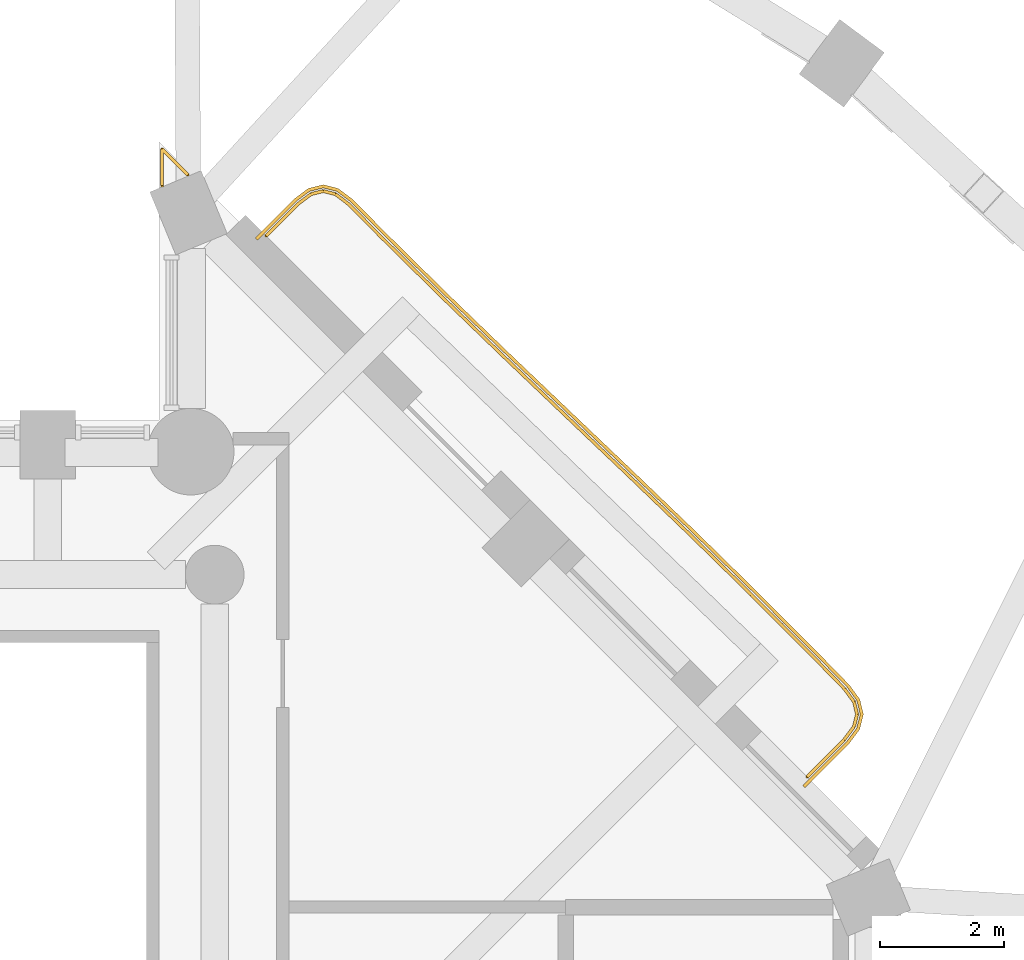
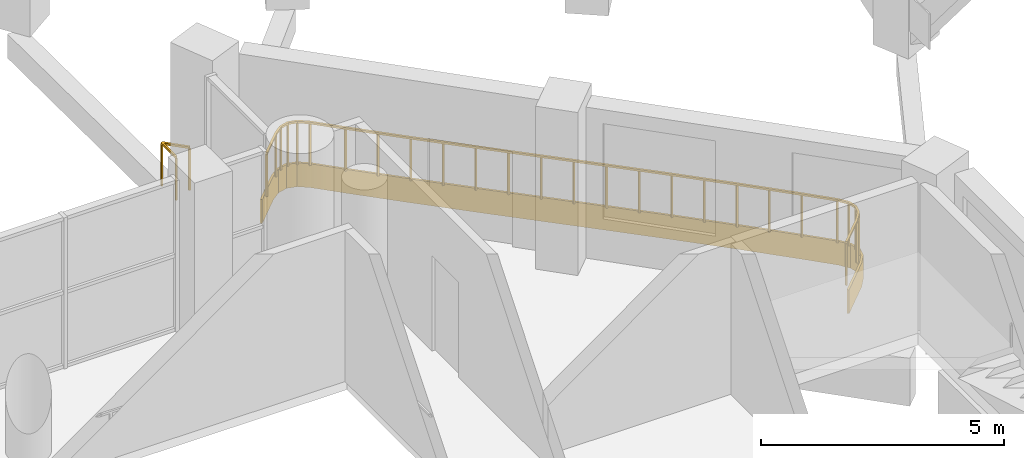
# One storey, part 15 of 15: 2 railings, 1 covering.
"""IFC4 building model written with IfcOpenShell, lengths in metres."""

from ifc_helpers import new_model, si_unit, direction, frame, origin, origin_2d, place, context, subcontext, project, spatial, polyline, rectangle, outline, extrude, material, layer, layer_set, type_object, element, save


model = new_model("IFC4")

# Units and contexts
model_context = context("Model", 3, precision=1e-05, world=origin(), true_north=direction((0.0, 1.0)))
body_context = subcontext(model_context, "Body", "Model", "MODEL_VIEW")
ifc_project = project(units=[si_unit("LENGTHUNIT", "METRE"), si_unit("AREAUNIT", "SQUARE_METRE"), si_unit("VOLUMEUNIT", "CUBIC_METRE"), si_unit("PLANEANGLEUNIT", "RADIAN"), si_unit("MASSUNIT", "GRAM", prefix="KILO")], contexts=[model_context])

# Site, building, storey
site_placement = place(None, origin())
site = spatial("IfcSite", under=ifc_project, at=site_placement, CompositionType="ELEMENT")
building_placement = place(site_placement, origin())
building = spatial("IfcBuilding", under=site, at=building_placement, Name="Cypress Arch Tower", CompositionType="ELEMENT")
storey_placement = place(building_placement, frame((0.0, 0.0, 193.300048828125)))
storey = spatial("IfcBuildingStorey", under=building, at=storey_placement, Name="L42", CompositionType="ELEMENT", Elevation=193.300048828125)

# Covering
ifc_material_1 = material(Name="White powder-coated aluminium fascia", Category="aluminium")
ifc_layer = layer(ifc_material_1, 0.050048828125)
ifc_layer_set = layer_set([ifc_layer], Name="Balcony fascia BF50")
covering_type = type_object("IfcCoveringType", Name="Balcony fascia BF50", PredefinedType="CLADDING", material=ifc_layer_set)
covering_placement = place(storey_placement, frame((0.0, 0.0, -0.60009765625)))
element("IfcCovering", 1, at=covering_placement, inside=storey, type_object=covering_type, Name="Balcony fascia L42-B05", PredefinedType="CLADDING", context=body_context, shape_type="SweptSolid", body=[
    extrude(outline(polyline([(10.282470703125, 16.0712890625), (10.513671875, 16.24462890625), (10.755859375, 16.304931640625), (10.99755859375, 16.243408203125), (11.22802734375, 16.069091796875), (11.766845703125, 15.525390625), (12.75341796875, 14.55322265625), (13.750244140625, 13.591064453125), (14.753173828125, 12.634765625), (15.757080078125, 11.678955078125), (16.756591796875, 10.71826171875), (17.746826171875, 9.748046875), (18.725341796875, 8.7666015625), (19.260009765625, 8.218017578125), (19.430908203125, 7.98388671875), (19.489501953125, 7.739990234375), (19.427734375, 7.496826171875), (19.25390625, 7.26513671875), (18.545166015625, 6.556396484375), (18.509765625, 6.591796875), (19.216064453125, 7.298095703125), (19.3818359375, 7.518798828125), (19.43798828125, 7.740478515625), (19.384521484375, 7.962646484375), (19.2216796875, 8.185546875), (18.68994140625, 8.7314453125), (17.71142578125, 9.712646484375), (16.7216796875, 10.682373046875), (15.72265625, 11.642822265625), (14.71875, 12.5986328125), (13.715576171875, 13.554931640625), (12.718505859375, 14.517333984375), (11.7314453125, 15.489990234375), (11.195068359375, 16.03125), (10.9755859375, 16.197509765625), (10.755615234375, 16.253173828125), (10.53564453125, 16.198486328125), (10.3154296875, 16.033447265625), (9.691650390625, 15.40966796875), (9.65625, 15.445068359375), (10.282470703125, 16.0712890625)])), origin(), (0.0, 0.0, 1.0), 0.60009765625),
])

# Railings
ifc_material_2 = material(Name="Powder-coated steel posts and rods, 100 mm clear between rods", Category="steel")
railing_type_1 = type_object("IfcRailingType", Name="Balcony guard GR1100", PredefinedType="GUARDRAIL", material=ifc_material_2)
railing_1_placement = place(storey_placement, frame((9.83251953125, 15.479736328125, 0.0)))
element("IfcRailing", 2, at=railing_1_placement, inside=storey, type_object=railing_type_1, Name="Balcony guard L42-B05", PredefinedType="GUARDRAIL", context=body_context, shape_type="SweptSolid", body=[
    extrude(rectangle(XDim=0.050048828125, YDim=0.050048828125, at=origin_2d()), frame((0.0, 0.0, 1.0751953125), z_axis=(0.707106781187, 0.707106781187, 0.0), x_axis=(-0.707106781187, 0.707106781187, 0.0)), (0.0, 0.0, 1.0), 0.729248046875),
    extrude(rectangle(XDim=0.050048828125, YDim=0.050048828125, at=origin_2d()), frame((0.515625, 0.515625, 1.0751953125), z_axis=(0.79977623076, 0.600298243135, 0.0), x_axis=(-0.600298243135, 0.79977623076, 0.0)), (0.0, 0.0, 1.0), 0.261962890625),
    extrude(rectangle(XDim=0.050048828125, YDim=0.050048828125, at=origin_2d()), frame((0.72509765625, 0.6728515625, 1.0751953125), z_axis=(0.970633311894, 0.24056386645, 0.0), x_axis=(-0.24056386645, 0.970633311894, 0.0)), (0.0, 0.0, 1.0), 0.2041015625),
    extrude(rectangle(XDim=0.050048828125, YDim=0.050048828125, at=origin_2d()), frame((0.923095703125, 0.721923828125, 1.0751953125), z_axis=(0.969434393792, -0.24535067991, 0.0), x_axis=(0.24535067991, 0.969434393792, 0.0)), (0.0, 0.0, 1.0), 0.2041015625),
    extrude(rectangle(XDim=0.050048828125, YDim=0.050048828125, at=origin_2d()), frame((1.120849609375, 0.671875, 1.0751953125), z_axis=(0.797418514698, -0.603426642117, 0.0), x_axis=(0.603426642117, 0.797418514698, 0.0)), (0.0, 0.0, 1.0), 0.26171875),
    extrude(rectangle(XDim=0.050048828125, YDim=0.050048828125, at=origin_2d()), frame((1.32958984375, 0.513916015625, 1.0751953125), z_axis=(0.703882450152, -0.710316476205, 0.0), x_axis=(0.710316476205, 0.703882450152, 0.0)), (0.0, 0.0, 1.0), 0.7587890625),
    extrude(rectangle(XDim=0.050048828125, YDim=0.050048828125, at=origin_2d()), frame((1.86376953125, -0.025146484375, 1.0751953125), z_axis=(0.712283627082, -0.701891754184, 0.0), x_axis=(0.701891754184, 0.712283627082, 0.0)), (0.0, 0.0, 1.0), 1.38623046875),
    extrude(rectangle(XDim=0.050048828125, YDim=0.050048828125, at=origin_2d()), frame((2.85107421875, -0.998046875, 1.0751953125), z_axis=(0.719413598622, -0.694581941975, 0.0), x_axis=(0.694581941975, 0.719413598622, 0.0)), (0.0, 0.0, 1.0), 1.38623046875),
    extrude(rectangle(XDim=0.050048828125, YDim=0.050048828125, at=origin_2d()), frame((3.848388671875, -1.9609375, 1.0751953125), z_axis=(0.723811177681, -0.689998100768, 0.0), x_axis=(0.689998100768, 0.723811177681, 0.0)), (0.0, 0.0, 1.0), 1.38623046875),
    extrude(rectangle(XDim=0.050048828125, YDim=0.050048828125, at=origin_2d()), frame((4.851806640625, -2.91748046875, 1.0751953125), z_axis=(0.724246851747, -0.689540787579, 0.0), x_axis=(0.689540787579, 0.724246851747, 0.0)), (0.0, 0.0, 1.0), 1.3857421875),
    extrude(rectangle(XDim=0.050048828125, YDim=0.050048828125, at=origin_2d()), frame((5.85546875, -3.873046875, 1.0751953125), z_axis=(0.720890626491, -0.693048847223, 0.0), x_axis=(0.693048847223, 0.720890626491, 0.0)), (0.0, 0.0, 1.0), 1.385498046875),
    extrude(rectangle(XDim=0.050048828125, YDim=0.050048828125, at=origin_2d()), frame((6.854248046875, -4.833251953125, 1.0751953125), z_axis=(0.714383755631, -0.699754135172, 0.0), x_axis=(0.699754135172, 0.714383755631, 0.0)), (0.0, 0.0, 1.0), 1.385009765625),
    extrude(rectangle(XDim=0.050048828125, YDim=0.050048828125, at=origin_2d()), frame((7.84375, -5.802490234375, 1.0751953125), z_axis=(0.706048503918, -0.70816347697, 0.0), x_axis=(0.70816347697, 0.706048503918, 0.0)), (0.0, 0.0, 1.0), 1.38525390625),
    extrude(rectangle(XDim=0.050048828125, YDim=0.050048828125, at=origin_2d()), frame((8.82177734375, -6.783447265625, 1.0751953125), z_axis=(0.697873194984, -0.716221337103, 0.0), x_axis=(0.716221337103, 0.697873194984, 0.0)), (0.0, 0.0, 1.0), 0.758544921875),
    extrude(rectangle(XDim=0.050048828125, YDim=0.050048828125, at=origin_2d()), frame((9.35107421875, -7.32666015625, 1.0751953125), z_axis=(0.589829969065, -0.807527465534, 0.0), x_axis=(0.807527465534, 0.589829969065, 0.0)), (0.0, 0.0, 1.0), 0.262451171875),
    extrude(rectangle(XDim=0.050048828125, YDim=0.050048828125, at=origin_2d()), frame((9.505859375, -7.53857421875, 1.0751953125), z_axis=(0.233328156203, -0.972398051995, 0.0), x_axis=(0.972398051995, 0.233328156203, 0.0)), (0.0, 0.0, 1.0), 0.2060546875),
    extrude(rectangle(XDim=0.050048828125, YDim=0.050048828125, at=origin_2d()), frame((9.553955078125, -7.739013671875, 1.0751953125), z_axis=(-0.246153846154, -0.969230769231, 0.0), x_axis=(0.969230769231, -0.246153846154, 0.0)), (0.0, 0.0, 1.0), 0.206298828125),
    extrude(rectangle(XDim=0.050048828125, YDim=0.050048828125, at=origin_2d()), frame((9.503173828125, -7.93896484375, 1.0751953125), z_axis=(-0.6, -0.8, 0.0), x_axis=(0.8, -0.6, 0.0)), (0.0, 0.0, 1.0), 0.262451171875),
    extrude(rectangle(XDim=0.050048828125, YDim=0.050048828125, at=origin_2d()), frame((9.345703125, -8.14892578125, 1.0751953125), z_axis=(-0.707106781187, -0.707106781187, 0.0), x_axis=(0.707106781187, -0.707106781187, 0.0)), (0.0, 0.0, 1.0), 0.84619140625),
    extrude(rectangle(XDim=0.0400390625, YDim=0.0400390625, at=origin_2d()), origin(), (0.0, 0.0, 1.0), 1.050048828125),
    extrude(rectangle(XDim=0.0400390625, YDim=0.0400390625, at=origin_2d()), frame((0.515625, 0.515625, 0.0)), (0.0, 0.0, 1.0), 1.050048828125),
    extrude(rectangle(XDim=0.0400390625, YDim=0.0400390625, at=origin_2d()), frame((0.72509765625, 0.6728515625, 0.0)), (0.0, 0.0, 1.0), 1.050048828125),
    extrude(rectangle(XDim=0.0400390625, YDim=0.0400390625, at=origin_2d()), frame((0.923095703125, 0.721923828125, 0.0)), (0.0, 0.0, 1.0), 1.050048828125),
    extrude(rectangle(XDim=0.0400390625, YDim=0.0400390625, at=origin_2d()), frame((1.120849609375, 0.671875, 0.0)), (0.0, 0.0, 1.0), 1.050048828125),
    extrude(rectangle(XDim=0.0400390625, YDim=0.0400390625, at=origin_2d()), frame((1.32958984375, 0.513916015625, 0.0)), (0.0, 0.0, 1.0), 1.050048828125),
    extrude(rectangle(XDim=0.0400390625, YDim=0.0400390625, at=origin_2d()), frame((1.86376953125, -0.025146484375, 0.0)), (0.0, 0.0, 1.0), 1.050048828125),
    extrude(rectangle(XDim=0.0400390625, YDim=0.0400390625, at=origin_2d()), frame((2.357421875, -0.51171875, 0.0)), (0.0, 0.0, 1.0), 1.050048828125),
    extrude(rectangle(XDim=0.0400390625, YDim=0.0400390625, at=origin_2d()), frame((2.85107421875, -0.998046875, 0.0)), (0.0, 0.0, 1.0), 1.050048828125),
    extrude(rectangle(XDim=0.0400390625, YDim=0.0400390625, at=origin_2d()), frame((3.349609375, -1.4794921875, 0.0)), (0.0, 0.0, 1.0), 1.050048828125),
    extrude(rectangle(XDim=0.0400390625, YDim=0.0400390625, at=origin_2d()), frame((3.848388671875, -1.9609375, 0.0)), (0.0, 0.0, 1.0), 1.050048828125),
    extrude(rectangle(XDim=0.0400390625, YDim=0.0400390625, at=origin_2d()), frame((4.35009765625, -2.439208984375, 0.0)), (0.0, 0.0, 1.0), 1.050048828125),
    extrude(rectangle(XDim=0.0400390625, YDim=0.0400390625, at=origin_2d()), frame((4.851806640625, -2.91748046875, 0.0)), (0.0, 0.0, 1.0), 1.050048828125),
    extrude(rectangle(XDim=0.0400390625, YDim=0.0400390625, at=origin_2d()), frame((5.353515625, -3.395263671875, 0.0)), (0.0, 0.0, 1.0), 1.050048828125),
    extrude(rectangle(XDim=0.0400390625, YDim=0.0400390625, at=origin_2d()), frame((5.85546875, -3.873046875, 0.0)), (0.0, 0.0, 1.0), 1.050048828125),
    extrude(rectangle(XDim=0.0400390625, YDim=0.0400390625, at=origin_2d()), frame((6.35498046875, -4.35302734375, 0.0)), (0.0, 0.0, 1.0), 1.050048828125),
    extrude(rectangle(XDim=0.0400390625, YDim=0.0400390625, at=origin_2d()), frame((6.854248046875, -4.833251953125, 0.0)), (0.0, 0.0, 1.0), 1.050048828125),
    extrude(rectangle(XDim=0.0400390625, YDim=0.0400390625, at=origin_2d()), frame((7.34912109375, -5.31787109375, 0.0)), (0.0, 0.0, 1.0), 1.050048828125),
    extrude(rectangle(XDim=0.0400390625, YDim=0.0400390625, at=origin_2d()), frame((7.84375, -5.802490234375, 0.0)), (0.0, 0.0, 1.0), 1.050048828125),
    extrude(rectangle(XDim=0.0400390625, YDim=0.0400390625, at=origin_2d()), frame((8.332763671875, -6.29296875, 0.0)), (0.0, 0.0, 1.0), 1.050048828125),
    extrude(rectangle(XDim=0.0400390625, YDim=0.0400390625, at=origin_2d()), frame((8.82177734375, -6.783447265625, 0.0)), (0.0, 0.0, 1.0), 1.050048828125),
    extrude(rectangle(XDim=0.0400390625, YDim=0.0400390625, at=origin_2d()), frame((9.35107421875, -7.32666015625, 0.0)), (0.0, 0.0, 1.0), 1.050048828125),
    extrude(rectangle(XDim=0.0400390625, YDim=0.0400390625, at=origin_2d()), frame((9.505859375, -7.53857421875, 0.0)), (0.0, 0.0, 1.0), 1.050048828125),
    extrude(rectangle(XDim=0.0400390625, YDim=0.0400390625, at=origin_2d()), frame((9.553955078125, -7.739013671875, 0.0)), (0.0, 0.0, 1.0), 1.050048828125),
    extrude(rectangle(XDim=0.0400390625, YDim=0.0400390625, at=origin_2d()), frame((9.503173828125, -7.93896484375, 0.0)), (0.0, 0.0, 1.0), 1.050048828125),
    extrude(rectangle(XDim=0.0400390625, YDim=0.0400390625, at=origin_2d()), frame((9.345703125, -8.14892578125, 0.0)), (0.0, 0.0, 1.0), 1.050048828125),
    extrude(rectangle(XDim=0.0400390625, YDim=0.0400390625, at=origin_2d()), frame((8.747314453125, -8.747314453125, 0.0)), (0.0, 0.0, 1.0), 1.050048828125),
])
ifc_material_3 = material(Name="Powder-coated steel posts and rods, 100 mm clear between rods", Category="steel")
railing_type_2 = type_object("IfcRailingType", Name="Corner guard GR1100C", PredefinedType="GUARDRAIL", material=ifc_material_3)
railing_2_placement = place(storey_placement, frame((8.14990234375, 16.290771484375, 0.0)))
element("IfcRailing", 3, at=railing_2_placement, inside=storey, type_object=railing_type_2, Name="Corner guard L42 7", PredefinedType="GUARDRAIL", context=body_context, shape_type="SweptSolid", body=[
    extrude(rectangle(XDim=0.050048828125, YDim=0.050048828125, at=origin_2d()), frame((0.0, 0.0, 1.0751953125), z_axis=(0.0, 1.0, 0.0), x_axis=(-1.0, 0.0, 0.0)), (0.0, 0.0, 1.0), 0.588623046875),
    extrude(rectangle(XDim=0.050048828125, YDim=0.050048828125, at=origin_2d()), frame((0.0, 0.588623046875, 1.0751953125), z_axis=(0.707106781187, -0.707106781187, 0.0), x_axis=(0.707106781187, 0.707106781187, 0.0)), (0.0, 0.0, 1.0), 0.588623046875),
    extrude(rectangle(XDim=0.0400390625, YDim=0.0400390625, at=origin_2d()), origin(), (0.0, 0.0, 1.0), 1.050048828125),
    extrude(rectangle(XDim=0.0400390625, YDim=0.0400390625, at=origin_2d()), frame((0.0, 0.588623046875, 0.0)), (0.0, 0.0, 1.0), 1.050048828125),
    extrude(rectangle(XDim=0.0400390625, YDim=0.0400390625, at=origin_2d()), frame((0.416259765625, 0.17236328125, 0.0)), (0.0, 0.0, 1.0), 1.050048828125),
])

save(model, "model.ifc")
